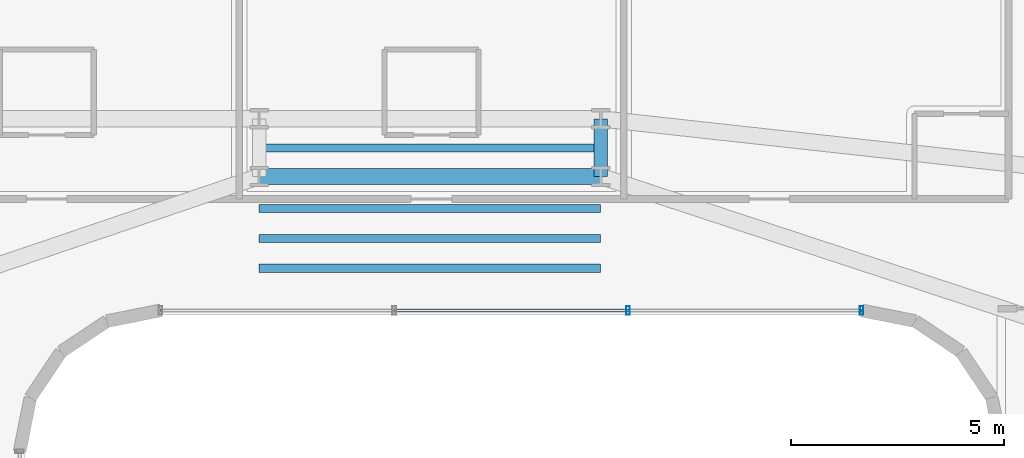
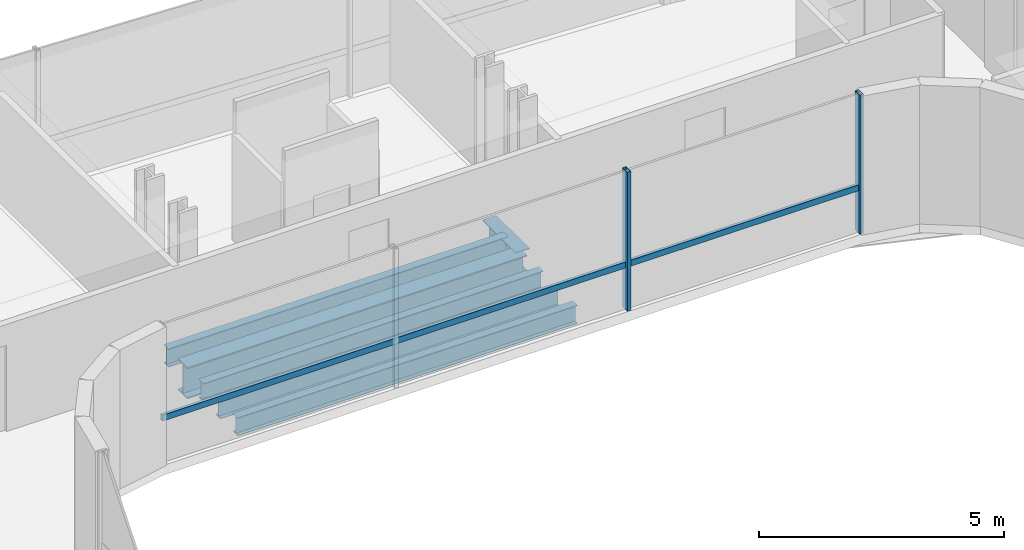
# One storey, part 15 of 35: 6 beams, 3 members, 1 element without a shape of its own.
"""IFC4 building model written with IfcOpenShell, lengths in metres."""

from ifc_helpers import new_model, si_unit, direction, frame, origin, origin_2d, place, context, subcontext, project, spatial, hollow_rectangle, i_section, extrude, source, transform, mapped, material, material_profile, profile_set, type_object, element, aggregate, save


model = new_model("IFC4")

# Units and contexts
model_context = context("Model", 3, precision=1e-05, world=origin(), true_north=direction((0.0, 1.0)))
body_context = subcontext(model_context, "Body", "Model", "MODEL_VIEW")
ifc_project = project(units=[si_unit("LENGTHUNIT", "METRE"), si_unit("AREAUNIT", "SQUARE_METRE"), si_unit("VOLUMEUNIT", "CUBIC_METRE"), si_unit("PLANEANGLEUNIT", "RADIAN"), si_unit("MASSUNIT", "GRAM", prefix="KILO")], contexts=[model_context])

# Site, building, storey
site_placement = place(None, origin())
site = spatial("IfcSite", under=ifc_project, at=site_placement, CompositionType="ELEMENT")
building_placement = place(site_placement, origin())
building = spatial("IfcBuilding", under=site, at=building_placement, Name="Valdorenza Pilgrim Sanctuary Tower", CompositionType="ELEMENT")
storey_placement = place(building_placement, frame((0.0, 0.0, 116.800048828125)))
storey = spatial("IfcBuildingStorey", under=building, at=storey_placement, Name="L29", CompositionType="ELEMENT", Elevation=116.800048828125)

# Beams
ifc_material_1 = material(Name="Steel ASTM A992 Grade 50", Category="steel")
ifc_material_profile_1 = material_profile(ifc_material_1, i_section(OverallWidth=0.323974609375, OverallDepth=0.611083984375, WebThickness=0.0126953125, FlangeThickness=0.01904296875, at=origin_2d()), Name="W24X104")
ifc_profile_set_1 = profile_set([ifc_material_profile_1], Name="Steel ASTM A992 Grade 50")
beam_type_1 = type_object("IfcBeamType", Name="STR-BM-GRD-W24B", PredefinedType="BEAM", material=ifc_profile_set_1)
shared_shape_1 = source(origin(), body_context, "Body", "SweptSolid", [
    extrude(i_section(OverallWidth=0.323974609375, OverallDepth=0.611083984375, WebThickness=0.0126953125, FlangeThickness=0.01904296875, at=origin_2d()), origin(), (0.0, 0.0, 1.0), 1.35009765625),
])
beam_1_placement = place(storey_placement, frame((4.0, 13.449951171875, -0.545654296875), z_axis=(0.0, 1.0, 0.0), x_axis=(-1.0, 0.0, 0.0)))
element("IfcBeam", 1, at=beam_1_placement, inside=storey, type_object=beam_type_1, Name="L29 Floor Girder KNK-TIE-E", PredefinedType="BEAM", context=body_context, shape_type="MappedRepresentation", body=[
    mapped(shared_shape_1, transform((0.0, 0.0, 0.0), x_axis=(1.0, 0.0, 0.0), y_axis=(0.0, 1.0, 0.0), z_axis=(0.0, 0.0, 1.0), scale=1.0)),
])
ifc_material_profile_2 = material_profile(ifc_material_1, i_section(OverallWidth=0.382080078125, OverallDepth=0.779052734375, WebThickness=0.01806640625, FlangeThickness=0.030029296875, at=origin_2d()), Name="W30X191")
ifc_profile_set_2 = profile_set([ifc_material_profile_2], Name="Steel ASTM A992 Grade 50")
beam_type_2 = type_object("IfcBeamType", Name="STR-BM-GRD-W30", PredefinedType="BEAM", material=ifc_profile_set_2)
shared_shape_2 = source(origin(), body_context, "Body", "SweptSolid", [
    extrude(i_section(OverallWidth=0.382080078125, OverallDepth=0.779052734375, WebThickness=0.01806640625, FlangeThickness=0.030029296875, at=origin_2d()), origin(), (0.0, 0.0, 1.0), 8.0),
])
beam_2_placement = place(storey_placement, frame((-4.0, 13.449951171875, -0.629638671875), z_axis=(1.0, 0.0, 0.0), x_axis=(0.0, 1.0, 0.0)))
element("IfcBeam", 2, at=beam_2_placement, inside=storey, type_object=beam_type_2, Name="L29 Floor Girder KNK-G2", PredefinedType="BEAM", context=body_context, shape_type="MappedRepresentation", body=[
    mapped(shared_shape_2, transform((0.0, 0.0, 0.0), x_axis=(1.0, 0.0, 0.0), y_axis=(0.0, 1.0, 0.0), z_axis=(0.0, 0.0, 1.0), scale=1.0)),
])
ifc_material_profile_3 = material_profile(ifc_material_1, i_section(OverallWidth=0.19091796875, OverallDepth=0.45703125, WebThickness=0.009033203125, FlangeThickness=0.014404296875, at=origin_2d()), Name="W18X50")
ifc_profile_set_3 = profile_set([ifc_material_profile_3], Name="Steel ASTM A992 Grade 50")
beam_type_3 = type_object("IfcBeamType", Name="STR-BM-JST-W18B", PredefinedType="JOIST", material=ifc_profile_set_3)
shared_shape_3 = source(origin(), body_context, "Body", "SweptSolid", [
    extrude(i_section(OverallWidth=0.19091796875, OverallDepth=0.45703125, WebThickness=0.009033203125, FlangeThickness=0.014404296875, at=origin_2d()), origin(), (0.0, 0.0, 1.0), 8.0),
])
for number, where, z_axis, x_axis, name in (
    (3, (-4.0, 11.300048828125, -0.468505859375), (1.0, 0.0, 0.0), (0.0, 1.0, 0.0), "L29 Knuckle Composite Joist JST-KNK-1"),
    (4, (-4.0, 12.0, -0.468505859375), (1.0, 0.0, 0.0), (0.0, 1.0, 0.0), "L29 Knuckle Composite Joist JST-KNK-2"),
    (5, (-4.0, 12.699951171875, -0.468505859375), (1.0, 0.0, 0.0), (0.0, 1.0, 0.0), "L29 Knuckle Composite Joist JST-KNK-3"),
    (6, (-4.0, 14.1201171875, -0.468505859375), (1.0, 0.0, 0.0), (0.0, 1.0, 0.0), "L29 Knuckle Composite Joist JST-KNK-4"),
):
    element("IfcBeam", number, at=place(storey_placement, frame(where, z_axis=z_axis, x_axis=x_axis)), inside=storey, type_object=beam_type_3, Name=name, PredefinedType="JOIST", context=body_context, shape_type="MappedRepresentation", body=[
        mapped(shared_shape_3, transform((0.0, 0.0, 0.0), x_axis=(1.0, 0.0, 0.0), y_axis=(0.0, 1.0, 0.0), z_axis=(0.0, 0.0, 1.0), scale=1.0)),
    ])

# Curtain wall, members
ifc_material_2 = material(Name="Curtain-wall IGU glazing", Category="glass")
curtain_wall_type = type_object("IfcCurtainWallType", Name="CW-SYS-02", PredefinedType="NOTDEFINED", material=ifc_material_2)
curtain_wall_placement = place(storey_placement, origin())
curtain_wall = element("IfcCurtainWall", 7, at=curtain_wall_placement, inside=storey, type_object=curtain_wall_type, Name="L29 Curtain Wall CW-L29-1-36", PredefinedType="NOTDEFINED")
ifc_material_3 = material(Name="Anodised aluminium AW-6060", Category="aluminium")
ifc_material_profile_4 = material_profile(ifc_material_3, hollow_rectangle(XDim=0.0849609375, YDim=0.199951171875, WallThickness=0.0048828125, at=origin_2d()), Name="ALU-M 200x85x5")
ifc_profile_set_4 = profile_set([ifc_material_profile_4], Name="Anodised aluminium AW-6060")
member_type_1 = type_object("IfcMemberType", Name="CW-MUL-02", PredefinedType="MULLION", material=ifc_profile_set_4)
shared_shape_4 = source(origin(), body_context, "Body", "SweptSolid", [
    extrude(hollow_rectangle(XDim=0.0849609375, YDim=0.199951171875, WallThickness=0.0048828125, at=origin_2d()), origin(), (0.0, 0.0, 1.0), 3.4599609375),
])
member_1_placement = place(storey_placement, frame((10.11083984375, 10.31005859375, 0.0), z_axis=(0.0, 0.0, 1.0), x_axis=(-1.0, 0.0, 0.0)))
member_1 = element("IfcMember", 8, at=member_1_placement, type_object=member_type_1, Name="CW-L29-1-36 Mullion 1", PredefinedType="MULLION", context=body_context, shape_type="MappedRepresentation", body=[
    mapped(shared_shape_4, transform((0.0, 0.0, 0.0), x_axis=(1.0, 0.0, 0.0), y_axis=(0.0, 1.0, 0.0), z_axis=(0.0, 0.0, 1.0), scale=1.0)),
])
member_2_placement = place(storey_placement, frame((4.636962890625, 10.31005859375, 0.0), z_axis=(0.0, 0.0, 1.0), x_axis=(-1.0, 0.0, 0.0)))
member_2 = element("IfcMember", 9, at=member_2_placement, type_object=member_type_1, Name="CW-L29-1-36 Mullion 2", PredefinedType="MULLION", context=body_context, shape_type="MappedRepresentation", body=[
    mapped(shared_shape_4, transform((0.0, 0.0, 0.0), x_axis=(1.0, 0.0, 0.0), y_axis=(0.0, 1.0, 0.0), z_axis=(0.0, 0.0, 1.0), scale=1.0)),
])
ifc_material_profile_5 = material_profile(ifc_material_3, hollow_rectangle(XDim=0.074951171875, YDim=0.14990234375, WallThickness=0.00390625, at=origin_2d()), Name="ALU-T 150x75x4")
ifc_profile_set_5 = profile_set([ifc_material_profile_5], Name="Anodised aluminium AW-6060")
member_type_2 = type_object("IfcMemberType", Name="CW-TRN-02", PredefinedType="USERDEFINED", material=ifc_profile_set_5)
shared_shape_5 = source(origin(), body_context, "Body", "SweptSolid", [
    extrude(hollow_rectangle(XDim=0.074951171875, YDim=0.14990234375, WallThickness=0.00390625, at=origin_2d()), origin(), (0.0, 0.0, 1.0), 16.421630859375),
])
member_3_placement = place(storey_placement, frame((10.11083984375, 10.31005859375, 1.119873046875), z_axis=(-1.0, 0.0, 0.0), x_axis=(0.0, -1.0, 0.0)))
member_3 = element("IfcMember", 10, at=member_3_placement, type_object=member_type_2, Name="CW-L29-1-36 Transom 1", ObjectType="TRANSOM", PredefinedType="USERDEFINED", context=body_context, shape_type="MappedRepresentation", body=[
    mapped(shared_shape_5, transform((0.0, 0.0, 0.0), x_axis=(1.0, 0.0, 0.0), y_axis=(0.0, 1.0, 0.0), z_axis=(0.0, 0.0, 1.0), scale=1.0)),
])
aggregate(curtain_wall, [member_1, member_2, member_3])

save(model, "model.ifc")
